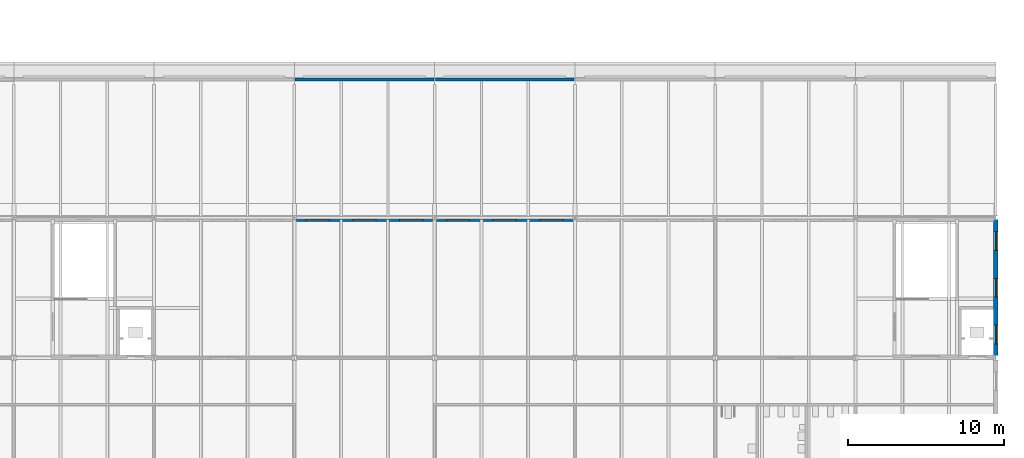
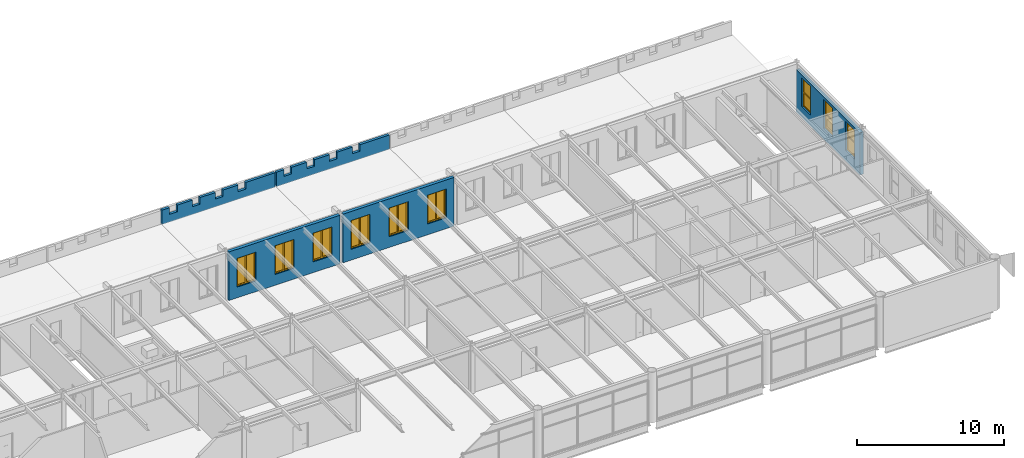
# One storey, part 84 of 123: 9 windows, 5 walls, 9 openings.
"""IFC4 building model written with IfcOpenShell, lengths in metres."""

from ifc_helpers import new_model, si_unit, direction, frame, frame_2d, origin, place, context, subcontext, project, spatial, polyline, rectangle, outline, extrude, material, layer, layer_set, type_object, element, fill, save


model = new_model("IFC4")

# Units and contexts
model_context = context("Model", 3, precision=1e-05, world=origin(), true_north=direction((0.0, 1.0)))
body_context = subcontext(model_context, "Body", "Model", "MODEL_VIEW")
ifc_project = project(units=[si_unit("LENGTHUNIT", "METRE"), si_unit("AREAUNIT", "SQUARE_METRE"), si_unit("VOLUMEUNIT", "CUBIC_METRE"), si_unit("PLANEANGLEUNIT", "RADIAN"), si_unit("MASSUNIT", "GRAM", prefix="KILO")], contexts=[model_context])

# Site, building, storey
site_placement = place(None, origin())
site = spatial("IfcSite", under=ifc_project, at=site_placement, CompositionType="ELEMENT")
building_placement = place(site_placement, origin())
building = spatial("IfcBuilding", under=site, at=building_placement, Name="Baradari Gate Terminus", CompositionType="ELEMENT")
storey_placement = place(building_placement, frame((0.0, 0.0, 7.5)))
storey = spatial("IfcBuildingStorey", under=building, at=storey_placement, Name="L01", CompositionType="ELEMENT", Elevation=7.5)

# Wall, openings, windows
ifc_material_1 = material(Name="Concrete C40/50 precast", Category="concrete")
ifc_layer_1 = layer(ifc_material_1, 0.23)
ifc_material_2 = material(Name="Reconstituted stone", Category="masonry")
ifc_layer_2 = layer(ifc_material_2, 0.05)
ifc_layer_set_1 = layer_set([ifc_layer_1, ifc_layer_2], Name="Concrete C40/50 precast")
wall_type_1 = type_object("IfcWallType", Name="End wall WE-1 280", PredefinedType="SOLIDWALL", material=ifc_layer_set_1)
wall_1_placement = place(storey_placement, frame((243.0, 99.1572265625, 0.0), z_axis=(0.0, 0.0, 1.0), x_axis=(0.0, 1.0, 0.0)))
wall_1 = element("IfcWall", 1, at=wall_1_placement, inside=storey, type_object=wall_type_1, Name="east end wall HE bay 12 L01", PredefinedType="SOLIDWALL", context=body_context, shape_type="SweptSolid", body=[
    extrude(rectangle(XDim=8.712646484375, YDim=0.280029296875, at=frame_2d((4.3564453125, 0.0))), origin(), (0.0, 0.0, 1.0), 3.516845703125),
])
opening_1_placement = place(wall_1_placement, frame((0.74267578125, 0.0, 0.89990234375)))
opening_1 = element("IfcOpeningElement", 2, at=opening_1_placement, cuts=wall_1, Name="Opening W12", PredefinedType="OPENING", context=body_context, shape_type="SweptSolid", body=[
    extrude(rectangle(XDim=1.199951171875, YDim=2.39990234375, at=frame_2d((0.60009765625, 1.199951171875))), frame((0.0, 0.14990234375, 0.0), z_axis=(0.0, -1.0, 0.0), x_axis=(1.0, 0.0, 0.0)), (0.0, 0.0, 1.0), 0.300048828125),
])
opening_2_placement = place(wall_1_placement, frame((3.74267578125, 0.0, 0.89990234375)))
opening_2 = element("IfcOpeningElement", 3, at=opening_2_placement, cuts=wall_1, Name="Opening W12", PredefinedType="OPENING", context=body_context, shape_type="SweptSolid", body=[
    extrude(rectangle(XDim=1.199951171875, YDim=2.39990234375, at=frame_2d((0.60009765625, 1.199951171875))), frame((0.0, 0.14990234375, 0.0), z_axis=(0.0, -1.0, 0.0), x_axis=(1.0, 0.0, 0.0)), (0.0, 0.0, 1.0), 0.300048828125),
])
opening_3_placement = place(wall_1_placement, frame((6.74267578125, 0.0, 0.89990234375)))
opening_3 = element("IfcOpeningElement", 4, at=opening_3_placement, cuts=wall_1, Name="Opening W12", PredefinedType="OPENING", context=body_context, shape_type="SweptSolid", body=[
    extrude(rectangle(XDim=1.199951171875, YDim=2.39990234375, at=frame_2d((0.60009765625, 1.199951171875))), frame((0.0, 0.14990234375, 0.0), z_axis=(0.0, -1.0, 0.0), x_axis=(1.0, 0.0, 0.0)), (0.0, 0.0, 1.0), 0.300048828125),
])
ifc_material_3 = material(Name="Aluminium 6063-T6", Category="aluminium")
window_type_1 = type_object("IfcWindowType", Name="End-wall window W12 1200x2400", PartitioningType="DOUBLE_PANEL_HORIZONTAL", PredefinedType="WINDOW", material=ifc_material_3)
window_1_placement = place(opening_1_placement, origin())
window_1 = element("IfcWindow", 5, at=window_1_placement, inside=storey, type_object=window_type_1, Name="Window W12 HE/11", OverallHeight=2.4, OverallWidth=1.2, PartitioningType="DOUBLE_PANEL_HORIZONTAL", PredefinedType="WINDOW", context=body_context, shape_type="SweptSolid", body=[
    extrude(outline(polyline([(0.0, 0.0), (1.199951171875, 0.0), (1.199951171875, 2.39990234375), (0.0, 2.39990234375), (0.0, 0.0)]), holes=[polyline([(0.070068359375, 0.070068359375), (1.1298828125, 0.070068359375), (1.1298828125, 2.329833984375), (0.070068359375, 2.329833984375), (0.070068359375, 0.070068359375)])]), frame((0.0, 0.030029296875, 0.0), z_axis=(0.0, -1.0, 0.0), x_axis=(1.0, 0.0, 0.0)), (0.0, 0.0, 1.0), 0.06005859375),
    extrude(rectangle(XDim=1.059814453125, YDim=0.0400390625, at=frame_2d((0.60009765625, 1.199951171875))), frame((0.0, 0.021484375, 0.0), z_axis=(0.0, -1.0, 0.0), x_axis=(1.0, 0.0, 0.0)), (0.0, 0.0, 1.0), 0.04296875),
    extrude(outline(polyline([(0.070068359375, 0.070068359375), (1.1298828125, 0.070068359375), (1.1298828125, 1.179931640625), (0.070068359375, 1.179931640625), (0.070068359375, 0.070068359375)]), holes=[polyline([(0.10009765625, 0.10009765625), (1.099853515625, 0.10009765625), (1.099853515625, 1.14990234375), (0.10009765625, 1.14990234375), (0.10009765625, 0.10009765625)])]), frame((0.0, 0.0224609375, 0.0), z_axis=(0.0, -1.0, 0.0), x_axis=(1.0, 0.0, 0.0)), (0.0, 0.0, 1.0), 0.044921875),
    extrude(rectangle(XDim=0.999755859375, YDim=1.0498046875, at=frame_2d((0.60009765625, 0.625))), frame((0.0, 0.006103515625, 0.0), z_axis=(0.0, -1.0, 0.0), x_axis=(1.0, 0.0, 0.0)), (0.0, 0.0, 1.0), 0.01220703125),
    extrude(outline(polyline([(0.070068359375, 1.219970703125), (1.1298828125, 1.219970703125), (1.1298828125, 2.329833984375), (0.070068359375, 2.329833984375), (0.070068359375, 1.219970703125)]), holes=[polyline([(0.10009765625, 1.25), (1.099853515625, 1.25), (1.099853515625, 2.2998046875), (0.10009765625, 2.2998046875), (0.10009765625, 1.25)])]), frame((0.0, 0.0224609375, 0.0), z_axis=(0.0, -1.0, 0.0), x_axis=(1.0, 0.0, 0.0)), (0.0, 0.0, 1.0), 0.044921875),
    extrude(rectangle(XDim=0.999755859375, YDim=1.0498046875, at=frame_2d((0.60009765625, 1.77490234375))), frame((0.0, 0.006103515625, 0.0), z_axis=(0.0, -1.0, 0.0), x_axis=(1.0, 0.0, 0.0)), (0.0, 0.0, 1.0), 0.01220703125),
])
fill(opening_1, window_1)
window_2_placement = place(opening_2_placement, origin())
window_2 = element("IfcWindow", 6, at=window_2_placement, inside=storey, type_object=window_type_1, Name="Window W12 HE/11", OverallHeight=2.4, OverallWidth=1.2, PartitioningType="DOUBLE_PANEL_HORIZONTAL", PredefinedType="WINDOW", context=body_context, shape_type="SweptSolid", body=[
    extrude(outline(polyline([(0.0, 0.0), (1.199951171875, 0.0), (1.199951171875, 2.39990234375), (0.0, 2.39990234375), (0.0, 0.0)]), holes=[polyline([(0.070068359375, 0.070068359375), (1.1298828125, 0.070068359375), (1.1298828125, 2.329833984375), (0.070068359375, 2.329833984375), (0.070068359375, 0.070068359375)])]), frame((0.0, 0.030029296875, 0.0), z_axis=(0.0, -1.0, 0.0), x_axis=(1.0, 0.0, 0.0)), (0.0, 0.0, 1.0), 0.06005859375),
    extrude(rectangle(XDim=1.059814453125, YDim=0.0400390625, at=frame_2d((0.60009765625, 1.199951171875))), frame((0.0, 0.021484375, 0.0), z_axis=(0.0, -1.0, 0.0), x_axis=(1.0, 0.0, 0.0)), (0.0, 0.0, 1.0), 0.04296875),
    extrude(outline(polyline([(0.070068359375, 0.070068359375), (1.1298828125, 0.070068359375), (1.1298828125, 1.179931640625), (0.070068359375, 1.179931640625), (0.070068359375, 0.070068359375)]), holes=[polyline([(0.10009765625, 0.10009765625), (1.099853515625, 0.10009765625), (1.099853515625, 1.14990234375), (0.10009765625, 1.14990234375), (0.10009765625, 0.10009765625)])]), frame((0.0, 0.0224609375, 0.0), z_axis=(0.0, -1.0, 0.0), x_axis=(1.0, 0.0, 0.0)), (0.0, 0.0, 1.0), 0.044921875),
    extrude(rectangle(XDim=0.999755859375, YDim=1.0498046875, at=frame_2d((0.60009765625, 0.625))), frame((0.0, 0.006103515625, 0.0), z_axis=(0.0, -1.0, 0.0), x_axis=(1.0, 0.0, 0.0)), (0.0, 0.0, 1.0), 0.01220703125),
    extrude(outline(polyline([(0.070068359375, 1.219970703125), (1.1298828125, 1.219970703125), (1.1298828125, 2.329833984375), (0.070068359375, 2.329833984375), (0.070068359375, 1.219970703125)]), holes=[polyline([(0.10009765625, 1.25), (1.099853515625, 1.25), (1.099853515625, 2.2998046875), (0.10009765625, 2.2998046875), (0.10009765625, 1.25)])]), frame((0.0, 0.0224609375, 0.0), z_axis=(0.0, -1.0, 0.0), x_axis=(1.0, 0.0, 0.0)), (0.0, 0.0, 1.0), 0.044921875),
    extrude(rectangle(XDim=0.999755859375, YDim=1.0498046875, at=frame_2d((0.60009765625, 1.77490234375))), frame((0.0, 0.006103515625, 0.0), z_axis=(0.0, -1.0, 0.0), x_axis=(1.0, 0.0, 0.0)), (0.0, 0.0, 1.0), 0.01220703125),
])
fill(opening_2, window_2)
window_3_placement = place(opening_3_placement, origin())
window_3 = element("IfcWindow", 7, at=window_3_placement, inside=storey, type_object=window_type_1, Name="Window W12 HE/11", OverallHeight=2.4, OverallWidth=1.2, PartitioningType="DOUBLE_PANEL_HORIZONTAL", PredefinedType="WINDOW", context=body_context, shape_type="SweptSolid", body=[
    extrude(outline(polyline([(0.0, 0.0), (1.199951171875, 0.0), (1.199951171875, 2.39990234375), (0.0, 2.39990234375), (0.0, 0.0)]), holes=[polyline([(0.070068359375, 0.070068359375), (1.1298828125, 0.070068359375), (1.1298828125, 2.329833984375), (0.070068359375, 2.329833984375), (0.070068359375, 0.070068359375)])]), frame((0.0, 0.030029296875, 0.0), z_axis=(0.0, -1.0, 0.0), x_axis=(1.0, 0.0, 0.0)), (0.0, 0.0, 1.0), 0.06005859375),
    extrude(rectangle(XDim=1.059814453125, YDim=0.0400390625, at=frame_2d((0.60009765625, 1.199951171875))), frame((0.0, 0.021484375, 0.0), z_axis=(0.0, -1.0, 0.0), x_axis=(1.0, 0.0, 0.0)), (0.0, 0.0, 1.0), 0.04296875),
    extrude(outline(polyline([(0.070068359375, 0.070068359375), (1.1298828125, 0.070068359375), (1.1298828125, 1.179931640625), (0.070068359375, 1.179931640625), (0.070068359375, 0.070068359375)]), holes=[polyline([(0.10009765625, 0.10009765625), (1.099853515625, 0.10009765625), (1.099853515625, 1.14990234375), (0.10009765625, 1.14990234375), (0.10009765625, 0.10009765625)])]), frame((0.0, 0.0224609375, 0.0), z_axis=(0.0, -1.0, 0.0), x_axis=(1.0, 0.0, 0.0)), (0.0, 0.0, 1.0), 0.044921875),
    extrude(rectangle(XDim=0.999755859375, YDim=1.0498046875, at=frame_2d((0.60009765625, 0.625))), frame((0.0, 0.006103515625, 0.0), z_axis=(0.0, -1.0, 0.0), x_axis=(1.0, 0.0, 0.0)), (0.0, 0.0, 1.0), 0.01220703125),
    extrude(outline(polyline([(0.070068359375, 1.219970703125), (1.1298828125, 1.219970703125), (1.1298828125, 2.329833984375), (0.070068359375, 2.329833984375), (0.070068359375, 1.219970703125)]), holes=[polyline([(0.10009765625, 1.25), (1.099853515625, 1.25), (1.099853515625, 2.2998046875), (0.10009765625, 2.2998046875), (0.10009765625, 1.25)])]), frame((0.0, 0.0224609375, 0.0), z_axis=(0.0, -1.0, 0.0), x_axis=(1.0, 0.0, 0.0)), (0.0, 0.0, 1.0), 0.044921875),
    extrude(rectangle(XDim=0.999755859375, YDim=1.0498046875, at=frame_2d((0.60009765625, 1.77490234375))), frame((0.0, 0.006103515625, 0.0), z_axis=(0.0, -1.0, 0.0), x_axis=(1.0, 0.0, 0.0)), (0.0, 0.0, 1.0), 0.01220703125),
])
fill(opening_3, window_3)

ifc_material_4 = material(Name="Laterite masonry", Category="masonry")
ifc_layer_3 = layer(ifc_material_4, 0.25)
ifc_layer_set_2 = layer_set([ifc_layer_3], Name="Laterite masonry")
wall_type_2 = type_object("IfcWallType", Name="Laterite masonry wall WP-1 250", PredefinedType="SOLIDWALL", material=ifc_layer_set_2)
wall_2_placement = place(storey_placement, frame((198.128173828125, 107.87841796875, 0.0), z_axis=(0.0, 0.0, 1.0), x_axis=(1.0, 0.0, 0.0)))
wall_2 = element("IfcWall", 8, at=wall_2_placement, inside=storey, type_object=wall_type_2, Name="arcade gallery wall HN bay 23 L01", PredefinedType="SOLIDWALL", context=body_context, shape_type="SweptSolid", body=[
    extrude(rectangle(XDim=8.74365234375, YDim=0.25, at=frame_2d((4.371826171875, 0.0))), origin(), (0.0, 0.0, 1.0), 4.050048828125),
])
opening_4_placement = place(wall_2_placement, frame((0.621826171875, 0.0, 0.89990234375)))
opening_4 = element("IfcOpeningElement", 9, at=opening_4_placement, cuts=wall_2, Name="Opening W1", PredefinedType="OPENING", context=body_context, shape_type="SweptSolid", body=[
    extrude(rectangle(XDim=1.5, YDim=2.39990234375, at=frame_2d((0.75, 1.199951171875))), frame((0.0, 0.135009765625, 0.0), z_axis=(0.0, -1.0, 0.0), x_axis=(1.0, 0.0, 0.0)), (0.0, 0.0, 1.0), 0.27001953125),
])
opening_5_placement = place(wall_2_placement, frame((3.621826171875, 0.0, 0.89990234375)))
opening_5 = element("IfcOpeningElement", 10, at=opening_5_placement, cuts=wall_2, Name="Opening W1", PredefinedType="OPENING", context=body_context, shape_type="SweptSolid", body=[
    extrude(rectangle(XDim=1.5, YDim=2.39990234375, at=frame_2d((0.75, 1.199951171875))), frame((0.0, 0.135009765625, 0.0), z_axis=(0.0, -1.0, 0.0), x_axis=(1.0, 0.0, 0.0)), (0.0, 0.0, 1.0), 0.27001953125),
])
opening_6_placement = place(wall_2_placement, frame((6.621826171875, 0.0, 0.89990234375)))
opening_6 = element("IfcOpeningElement", 11, at=opening_6_placement, cuts=wall_2, Name="Opening W1", PredefinedType="OPENING", context=body_context, shape_type="SweptSolid", body=[
    extrude(rectangle(XDim=1.5, YDim=2.39990234375, at=frame_2d((0.75, 1.199951171875))), frame((0.0, 0.135009765625, 0.0), z_axis=(0.0, -1.0, 0.0), x_axis=(1.0, 0.0, 0.0)), (0.0, 0.0, 1.0), 0.27001953125),
])
ifc_material_5 = material(Name="Aluminium 6063-T6", Category="aluminium")
window_type_2 = type_object("IfcWindowType", Name="Punched window, 2-light W1 1500x2400", PartitioningType="DOUBLE_PANEL_VERTICAL", PredefinedType="WINDOW", material=ifc_material_5)
window_4_placement = place(opening_4_placement, origin())
window_4 = element("IfcWindow", 12, at=window_4_placement, inside=storey, type_object=window_type_2, Name="Window W1 HN/22", OverallHeight=2.4, OverallWidth=1.5, PartitioningType="DOUBLE_PANEL_VERTICAL", PredefinedType="WINDOW", context=body_context, shape_type="SweptSolid", body=[
    extrude(outline(polyline([(0.0, 0.0), (1.5, 0.0), (1.5, 2.39990234375), (0.0, 2.39990234375), (0.0, 0.0)]), holes=[polyline([(0.070068359375, 0.070068359375), (1.429931640625, 0.070068359375), (1.429931640625, 2.329833984375), (0.070068359375, 2.329833984375), (0.070068359375, 0.070068359375)])]), frame((0.0, 0.030029296875, 0.0), z_axis=(0.0, -1.0, 0.0), x_axis=(1.0, 0.0, 0.0)), (0.0, 0.0, 1.0), 0.06005859375),
    extrude(rectangle(XDim=0.0400390625, YDim=2.259765625, at=frame_2d((0.75, 1.199951171875))), frame((0.0, 0.02197265625, 0.0), z_axis=(0.0, -1.0, 0.0), x_axis=(1.0, 0.0, 0.0)), (0.0, 0.0, 1.0), 0.0439453125),
    extrude(outline(polyline([(0.070068359375, 0.070068359375), (0.72998046875, 0.070068359375), (0.72998046875, 2.329833984375), (0.070068359375, 2.329833984375), (0.070068359375, 0.070068359375)]), holes=[polyline([(0.10009765625, 0.10009765625), (0.699951171875, 0.10009765625), (0.699951171875, 2.2998046875), (0.10009765625, 2.2998046875), (0.10009765625, 0.10009765625)])]), frame((0.0, 0.0224609375, 0.0), z_axis=(0.0, -1.0, 0.0), x_axis=(1.0, 0.0, 0.0)), (0.0, 0.0, 1.0), 0.044921875),
    extrude(rectangle(XDim=0.599853515625, YDim=2.19970703125, at=frame_2d((0.39990234375, 1.199951171875))), frame((0.0, 0.006103515625, 0.0), z_axis=(0.0, -1.0, 0.0), x_axis=(1.0, 0.0, 0.0)), (0.0, 0.0, 1.0), 0.01220703125),
    extrude(outline(polyline([(0.77001953125, 0.070068359375), (1.429931640625, 0.070068359375), (1.429931640625, 2.329833984375), (0.77001953125, 2.329833984375), (0.77001953125, 0.070068359375)]), holes=[polyline([(0.800048828125, 0.10009765625), (1.39990234375, 0.10009765625), (1.39990234375, 2.2998046875), (0.800048828125, 2.2998046875), (0.800048828125, 0.10009765625)])]), frame((0.0, 0.0224609375, 0.0), z_axis=(0.0, -1.0, 0.0), x_axis=(1.0, 0.0, 0.0)), (0.0, 0.0, 1.0), 0.044921875),
    extrude(rectangle(XDim=0.599853515625, YDim=2.19970703125, at=frame_2d((1.10009765625, 1.199951171875))), frame((0.0, 0.006103515625, 0.0), z_axis=(0.0, -1.0, 0.0), x_axis=(1.0, 0.0, 0.0)), (0.0, 0.0, 1.0), 0.01220703125),
])
fill(opening_4, window_4)
window_5_placement = place(opening_5_placement, origin())
window_5 = element("IfcWindow", 13, at=window_5_placement, inside=storey, type_object=window_type_2, Name="Window W1 HN/22", OverallHeight=2.4, OverallWidth=1.5, PartitioningType="DOUBLE_PANEL_VERTICAL", PredefinedType="WINDOW", context=body_context, shape_type="SweptSolid", body=[
    extrude(outline(polyline([(0.0, 0.0), (1.5, 0.0), (1.5, 2.39990234375), (0.0, 2.39990234375), (0.0, 0.0)]), holes=[polyline([(0.070068359375, 0.070068359375), (1.429931640625, 0.070068359375), (1.429931640625, 2.329833984375), (0.070068359375, 2.329833984375), (0.070068359375, 0.070068359375)])]), frame((0.0, 0.030029296875, 0.0), z_axis=(0.0, -1.0, 0.0), x_axis=(1.0, 0.0, 0.0)), (0.0, 0.0, 1.0), 0.06005859375),
    extrude(rectangle(XDim=0.0400390625, YDim=2.259765625, at=frame_2d((0.75, 1.199951171875))), frame((0.0, 0.02197265625, 0.0), z_axis=(0.0, -1.0, 0.0), x_axis=(1.0, 0.0, 0.0)), (0.0, 0.0, 1.0), 0.0439453125),
    extrude(outline(polyline([(0.070068359375, 0.070068359375), (0.72998046875, 0.070068359375), (0.72998046875, 2.329833984375), (0.070068359375, 2.329833984375), (0.070068359375, 0.070068359375)]), holes=[polyline([(0.10009765625, 0.10009765625), (0.699951171875, 0.10009765625), (0.699951171875, 2.2998046875), (0.10009765625, 2.2998046875), (0.10009765625, 0.10009765625)])]), frame((0.0, 0.0224609375, 0.0), z_axis=(0.0, -1.0, 0.0), x_axis=(1.0, 0.0, 0.0)), (0.0, 0.0, 1.0), 0.044921875),
    extrude(rectangle(XDim=0.599853515625, YDim=2.19970703125, at=frame_2d((0.39990234375, 1.199951171875))), frame((0.0, 0.006103515625, 0.0), z_axis=(0.0, -1.0, 0.0), x_axis=(1.0, 0.0, 0.0)), (0.0, 0.0, 1.0), 0.01220703125),
    extrude(outline(polyline([(0.77001953125, 0.070068359375), (1.429931640625, 0.070068359375), (1.429931640625, 2.329833984375), (0.77001953125, 2.329833984375), (0.77001953125, 0.070068359375)]), holes=[polyline([(0.800048828125, 0.10009765625), (1.39990234375, 0.10009765625), (1.39990234375, 2.2998046875), (0.800048828125, 2.2998046875), (0.800048828125, 0.10009765625)])]), frame((0.0, 0.0224609375, 0.0), z_axis=(0.0, -1.0, 0.0), x_axis=(1.0, 0.0, 0.0)), (0.0, 0.0, 1.0), 0.044921875),
    extrude(rectangle(XDim=0.599853515625, YDim=2.19970703125, at=frame_2d((1.10009765625, 1.199951171875))), frame((0.0, 0.006103515625, 0.0), z_axis=(0.0, -1.0, 0.0), x_axis=(1.0, 0.0, 0.0)), (0.0, 0.0, 1.0), 0.01220703125),
])
fill(opening_5, window_5)
window_6_placement = place(opening_6_placement, origin())
window_6 = element("IfcWindow", 14, at=window_6_placement, inside=storey, type_object=window_type_2, Name="Window W1 HN/22", OverallHeight=2.4, OverallWidth=1.5, PartitioningType="DOUBLE_PANEL_VERTICAL", PredefinedType="WINDOW", context=body_context, shape_type="SweptSolid", body=[
    extrude(outline(polyline([(0.0, 0.0), (1.5, 0.0), (1.5, 2.39990234375), (0.0, 2.39990234375), (0.0, 0.0)]), holes=[polyline([(0.070068359375, 0.070068359375), (1.429931640625, 0.070068359375), (1.429931640625, 2.329833984375), (0.070068359375, 2.329833984375), (0.070068359375, 0.070068359375)])]), frame((0.0, 0.030029296875, 0.0), z_axis=(0.0, -1.0, 0.0), x_axis=(1.0, 0.0, 0.0)), (0.0, 0.0, 1.0), 0.06005859375),
    extrude(rectangle(XDim=0.0400390625, YDim=2.259765625, at=frame_2d((0.75, 1.199951171875))), frame((0.0, 0.02197265625, 0.0), z_axis=(0.0, -1.0, 0.0), x_axis=(1.0, 0.0, 0.0)), (0.0, 0.0, 1.0), 0.0439453125),
    extrude(outline(polyline([(0.070068359375, 0.070068359375), (0.72998046875, 0.070068359375), (0.72998046875, 2.329833984375), (0.070068359375, 2.329833984375), (0.070068359375, 0.070068359375)]), holes=[polyline([(0.10009765625, 0.10009765625), (0.699951171875, 0.10009765625), (0.699951171875, 2.2998046875), (0.10009765625, 2.2998046875), (0.10009765625, 0.10009765625)])]), frame((0.0, 0.0224609375, 0.0), z_axis=(0.0, -1.0, 0.0), x_axis=(1.0, 0.0, 0.0)), (0.0, 0.0, 1.0), 0.044921875),
    extrude(rectangle(XDim=0.599853515625, YDim=2.19970703125, at=frame_2d((0.39990234375, 1.199951171875))), frame((0.0, 0.006103515625, 0.0), z_axis=(0.0, -1.0, 0.0), x_axis=(1.0, 0.0, 0.0)), (0.0, 0.0, 1.0), 0.01220703125),
    extrude(outline(polyline([(0.77001953125, 0.070068359375), (1.429931640625, 0.070068359375), (1.429931640625, 2.329833984375), (0.77001953125, 2.329833984375), (0.77001953125, 0.070068359375)]), holes=[polyline([(0.800048828125, 0.10009765625), (1.39990234375, 0.10009765625), (1.39990234375, 2.2998046875), (0.800048828125, 2.2998046875), (0.800048828125, 0.10009765625)])]), frame((0.0, 0.0224609375, 0.0), z_axis=(0.0, -1.0, 0.0), x_axis=(1.0, 0.0, 0.0)), (0.0, 0.0, 1.0), 0.044921875),
    extrude(rectangle(XDim=0.599853515625, YDim=2.19970703125, at=frame_2d((1.10009765625, 1.199951171875))), frame((0.0, 0.006103515625, 0.0), z_axis=(0.0, -1.0, 0.0), x_axis=(1.0, 0.0, 0.0)), (0.0, 0.0, 1.0), 0.01220703125),
])
fill(opening_6, window_6)

wall_3_placement = place(storey_placement, frame((207.128173828125, 107.87841796875, 0.0), z_axis=(0.0, 0.0, 1.0), x_axis=(1.0, 0.0, 0.0)))
wall_3 = element("IfcWall", 15, at=wall_3_placement, inside=storey, type_object=wall_type_2, Name="arcade gallery wall HN bay 24 L01", PredefinedType="SOLIDWALL", context=body_context, shape_type="SweptSolid", body=[
    extrude(rectangle(XDim=8.74365234375, YDim=0.25, at=frame_2d((4.371826171875, 0.0))), origin(), (0.0, 0.0, 1.0), 4.050048828125),
])
opening_7_placement = place(wall_3_placement, frame((0.621826171875, 0.0, 0.89990234375)))
opening_7 = element("IfcOpeningElement", 16, at=opening_7_placement, cuts=wall_3, Name="Opening W1", PredefinedType="OPENING", context=body_context, shape_type="SweptSolid", body=[
    extrude(rectangle(XDim=1.5, YDim=2.39990234375, at=frame_2d((0.75, 1.199951171875))), frame((0.0, 0.135009765625, 0.0), z_axis=(0.0, -1.0, 0.0), x_axis=(1.0, 0.0, 0.0)), (0.0, 0.0, 1.0), 0.27001953125),
])
opening_8_placement = place(wall_3_placement, frame((3.621826171875, 0.0, 0.89990234375)))
opening_8 = element("IfcOpeningElement", 17, at=opening_8_placement, cuts=wall_3, Name="Opening W1", PredefinedType="OPENING", context=body_context, shape_type="SweptSolid", body=[
    extrude(rectangle(XDim=1.5, YDim=2.39990234375, at=frame_2d((0.75, 1.199951171875))), frame((0.0, 0.135009765625, 0.0), z_axis=(0.0, -1.0, 0.0), x_axis=(1.0, 0.0, 0.0)), (0.0, 0.0, 1.0), 0.27001953125),
])
opening_9_placement = place(wall_3_placement, frame((6.621826171875, 0.0, 0.89990234375)))
opening_9 = element("IfcOpeningElement", 18, at=opening_9_placement, cuts=wall_3, Name="Opening W1", PredefinedType="OPENING", context=body_context, shape_type="SweptSolid", body=[
    extrude(rectangle(XDim=1.5, YDim=2.39990234375, at=frame_2d((0.75, 1.199951171875))), frame((0.0, 0.135009765625, 0.0), z_axis=(0.0, -1.0, 0.0), x_axis=(1.0, 0.0, 0.0)), (0.0, 0.0, 1.0), 0.27001953125),
])
window_7_placement = place(opening_7_placement, origin())
window_7 = element("IfcWindow", 19, at=window_7_placement, inside=storey, type_object=window_type_2, Name="Window W1 HN/23", OverallHeight=2.4, OverallWidth=1.5, PartitioningType="DOUBLE_PANEL_VERTICAL", PredefinedType="WINDOW", context=body_context, shape_type="SweptSolid", body=[
    extrude(outline(polyline([(0.0, 0.0), (1.5, 0.0), (1.5, 2.39990234375), (0.0, 2.39990234375), (0.0, 0.0)]), holes=[polyline([(0.070068359375, 0.070068359375), (1.429931640625, 0.070068359375), (1.429931640625, 2.329833984375), (0.070068359375, 2.329833984375), (0.070068359375, 0.070068359375)])]), frame((0.0, 0.030029296875, 0.0), z_axis=(0.0, -1.0, 0.0), x_axis=(1.0, 0.0, 0.0)), (0.0, 0.0, 1.0), 0.06005859375),
    extrude(rectangle(XDim=0.0400390625, YDim=2.259765625, at=frame_2d((0.75, 1.199951171875))), frame((0.0, 0.02197265625, 0.0), z_axis=(0.0, -1.0, 0.0), x_axis=(1.0, 0.0, 0.0)), (0.0, 0.0, 1.0), 0.0439453125),
    extrude(outline(polyline([(0.070068359375, 0.070068359375), (0.72998046875, 0.070068359375), (0.72998046875, 2.329833984375), (0.070068359375, 2.329833984375), (0.070068359375, 0.070068359375)]), holes=[polyline([(0.10009765625, 0.10009765625), (0.699951171875, 0.10009765625), (0.699951171875, 2.2998046875), (0.10009765625, 2.2998046875), (0.10009765625, 0.10009765625)])]), frame((0.0, 0.0224609375, 0.0), z_axis=(0.0, -1.0, 0.0), x_axis=(1.0, 0.0, 0.0)), (0.0, 0.0, 1.0), 0.044921875),
    extrude(rectangle(XDim=0.599853515625, YDim=2.19970703125, at=frame_2d((0.39990234375, 1.199951171875))), frame((0.0, 0.006103515625, 0.0), z_axis=(0.0, -1.0, 0.0), x_axis=(1.0, 0.0, 0.0)), (0.0, 0.0, 1.0), 0.01220703125),
    extrude(outline(polyline([(0.77001953125, 0.070068359375), (1.429931640625, 0.070068359375), (1.429931640625, 2.329833984375), (0.77001953125, 2.329833984375), (0.77001953125, 0.070068359375)]), holes=[polyline([(0.800048828125, 0.10009765625), (1.39990234375, 0.10009765625), (1.39990234375, 2.2998046875), (0.800048828125, 2.2998046875), (0.800048828125, 0.10009765625)])]), frame((0.0, 0.0224609375, 0.0), z_axis=(0.0, -1.0, 0.0), x_axis=(1.0, 0.0, 0.0)), (0.0, 0.0, 1.0), 0.044921875),
    extrude(rectangle(XDim=0.599853515625, YDim=2.19970703125, at=frame_2d((1.10009765625, 1.199951171875))), frame((0.0, 0.006103515625, 0.0), z_axis=(0.0, -1.0, 0.0), x_axis=(1.0, 0.0, 0.0)), (0.0, 0.0, 1.0), 0.01220703125),
])
fill(opening_7, window_7)
window_8_placement = place(opening_8_placement, origin())
window_8 = element("IfcWindow", 20, at=window_8_placement, inside=storey, type_object=window_type_2, Name="Window W1 HN/23", OverallHeight=2.4, OverallWidth=1.5, PartitioningType="DOUBLE_PANEL_VERTICAL", PredefinedType="WINDOW", context=body_context, shape_type="SweptSolid", body=[
    extrude(outline(polyline([(0.0, 0.0), (1.5, 0.0), (1.5, 2.39990234375), (0.0, 2.39990234375), (0.0, 0.0)]), holes=[polyline([(0.070068359375, 0.070068359375), (1.429931640625, 0.070068359375), (1.429931640625, 2.329833984375), (0.070068359375, 2.329833984375), (0.070068359375, 0.070068359375)])]), frame((0.0, 0.030029296875, 0.0), z_axis=(0.0, -1.0, 0.0), x_axis=(1.0, 0.0, 0.0)), (0.0, 0.0, 1.0), 0.06005859375),
    extrude(rectangle(XDim=0.0400390625, YDim=2.259765625, at=frame_2d((0.75, 1.199951171875))), frame((0.0, 0.02197265625, 0.0), z_axis=(0.0, -1.0, 0.0), x_axis=(1.0, 0.0, 0.0)), (0.0, 0.0, 1.0), 0.0439453125),
    extrude(outline(polyline([(0.070068359375, 0.070068359375), (0.72998046875, 0.070068359375), (0.72998046875, 2.329833984375), (0.070068359375, 2.329833984375), (0.070068359375, 0.070068359375)]), holes=[polyline([(0.10009765625, 0.10009765625), (0.699951171875, 0.10009765625), (0.699951171875, 2.2998046875), (0.10009765625, 2.2998046875), (0.10009765625, 0.10009765625)])]), frame((0.0, 0.0224609375, 0.0), z_axis=(0.0, -1.0, 0.0), x_axis=(1.0, 0.0, 0.0)), (0.0, 0.0, 1.0), 0.044921875),
    extrude(rectangle(XDim=0.599853515625, YDim=2.19970703125, at=frame_2d((0.39990234375, 1.199951171875))), frame((0.0, 0.006103515625, 0.0), z_axis=(0.0, -1.0, 0.0), x_axis=(1.0, 0.0, 0.0)), (0.0, 0.0, 1.0), 0.01220703125),
    extrude(outline(polyline([(0.77001953125, 0.070068359375), (1.429931640625, 0.070068359375), (1.429931640625, 2.329833984375), (0.77001953125, 2.329833984375), (0.77001953125, 0.070068359375)]), holes=[polyline([(0.800048828125, 0.10009765625), (1.39990234375, 0.10009765625), (1.39990234375, 2.2998046875), (0.800048828125, 2.2998046875), (0.800048828125, 0.10009765625)])]), frame((0.0, 0.0224609375, 0.0), z_axis=(0.0, -1.0, 0.0), x_axis=(1.0, 0.0, 0.0)), (0.0, 0.0, 1.0), 0.044921875),
    extrude(rectangle(XDim=0.599853515625, YDim=2.19970703125, at=frame_2d((1.10009765625, 1.199951171875))), frame((0.0, 0.006103515625, 0.0), z_axis=(0.0, -1.0, 0.0), x_axis=(1.0, 0.0, 0.0)), (0.0, 0.0, 1.0), 0.01220703125),
])
fill(opening_8, window_8)
window_9_placement = place(opening_9_placement, origin())
window_9 = element("IfcWindow", 21, at=window_9_placement, inside=storey, type_object=window_type_2, Name="Window W1 HN/23", OverallHeight=2.4, OverallWidth=1.5, PartitioningType="DOUBLE_PANEL_VERTICAL", PredefinedType="WINDOW", context=body_context, shape_type="SweptSolid", body=[
    extrude(outline(polyline([(0.0, 0.0), (1.5, 0.0), (1.5, 2.39990234375), (0.0, 2.39990234375), (0.0, 0.0)]), holes=[polyline([(0.070068359375, 0.070068359375), (1.429931640625, 0.070068359375), (1.429931640625, 2.329833984375), (0.070068359375, 2.329833984375), (0.070068359375, 0.070068359375)])]), frame((0.0, 0.030029296875, 0.0), z_axis=(0.0, -1.0, 0.0), x_axis=(1.0, 0.0, 0.0)), (0.0, 0.0, 1.0), 0.06005859375),
    extrude(rectangle(XDim=0.0400390625, YDim=2.259765625, at=frame_2d((0.75, 1.199951171875))), frame((0.0, 0.02197265625, 0.0), z_axis=(0.0, -1.0, 0.0), x_axis=(1.0, 0.0, 0.0)), (0.0, 0.0, 1.0), 0.0439453125),
    extrude(outline(polyline([(0.070068359375, 0.070068359375), (0.72998046875, 0.070068359375), (0.72998046875, 2.329833984375), (0.070068359375, 2.329833984375), (0.070068359375, 0.070068359375)]), holes=[polyline([(0.10009765625, 0.10009765625), (0.699951171875, 0.10009765625), (0.699951171875, 2.2998046875), (0.10009765625, 2.2998046875), (0.10009765625, 0.10009765625)])]), frame((0.0, 0.0224609375, 0.0), z_axis=(0.0, -1.0, 0.0), x_axis=(1.0, 0.0, 0.0)), (0.0, 0.0, 1.0), 0.044921875),
    extrude(rectangle(XDim=0.599853515625, YDim=2.19970703125, at=frame_2d((0.39990234375, 1.199951171875))), frame((0.0, 0.006103515625, 0.0), z_axis=(0.0, -1.0, 0.0), x_axis=(1.0, 0.0, 0.0)), (0.0, 0.0, 1.0), 0.01220703125),
    extrude(outline(polyline([(0.77001953125, 0.070068359375), (1.429931640625, 0.070068359375), (1.429931640625, 2.329833984375), (0.77001953125, 2.329833984375), (0.77001953125, 0.070068359375)]), holes=[polyline([(0.800048828125, 0.10009765625), (1.39990234375, 0.10009765625), (1.39990234375, 2.2998046875), (0.800048828125, 2.2998046875), (0.800048828125, 0.10009765625)])]), frame((0.0, 0.0224609375, 0.0), z_axis=(0.0, -1.0, 0.0), x_axis=(1.0, 0.0, 0.0)), (0.0, 0.0, 1.0), 0.044921875),
    extrude(rectangle(XDim=0.599853515625, YDim=2.19970703125, at=frame_2d((1.10009765625, 1.199951171875))), frame((0.0, 0.006103515625, 0.0), z_axis=(0.0, -1.0, 0.0), x_axis=(1.0, 0.0, 0.0)), (0.0, 0.0, 1.0), 0.01220703125),
])
fill(opening_9, window_9)

# Walls
ifc_material_6 = material(Name="Laterite masonry", Category="masonry")
ifc_layer_4 = layer(ifc_material_6, 0.199951171875)
ifc_layer_set_3 = layer_set([ifc_layer_4], Name="Laterite masonry")
wall_type_3 = type_object("IfcWallType", Name="Parapet PW-4 200x1200 arcade", PredefinedType="PARAPET", material=ifc_layer_set_3)
for number, where, z_axis, x_axis, name in (
    (22, (198.050048828125, 116.85009765625, 0.89990234375), (0.0, 0.0, 1.0), (1.0, 0.0, 0.0), "Merlon parapet 2.4 1"),
    (23, (207.050048828125, 116.85009765625, 0.89990234375), (0.0, 0.0, 1.0), (1.0, 0.0, 0.0), "Merlon parapet 2.5 1"),
):
    element("IfcWall", number, at=place(storey_placement, frame(where, z_axis=z_axis, x_axis=x_axis)), inside=storey, type_object=wall_type_3, Name=name, PredefinedType="PARAPET", context=body_context, shape_type="SweptSolid", body=[
        extrude(outline(polyline([(6.60009765625, 1.2001953125), (6.60009765625, 0.650146484375), (6.0, 0.650146484375), (6.0, 1.2001953125), (4.800048828125, 1.2001953125), (4.800048828125, 0.650146484375), (4.199951171875, 0.650146484375), (4.199951171875, 1.2001953125), (3.0, 1.2001953125), (3.0, 0.650146484375), (2.39990234375, 0.650146484375), (2.39990234375, 1.2001953125), (1.199951171875, 1.2001953125), (1.199951171875, 0.650146484375), (0.60009765625, 0.650146484375), (0.60009765625, 1.2001953125), (0.0, 1.2001953125), (0.0, 0.0), (8.89990234375, 0.0), (8.89990234375, 1.2001953125), (6.60009765625, 1.2001953125)])), frame((0.0, 0.10009765625, 0.0), z_axis=(0.0, -1.0, 0.0), x_axis=(1.0, 0.0, 0.0)), (0.0, 0.0, 1.0), 0.199951171875),
    ])

save(model, "model.ifc")
